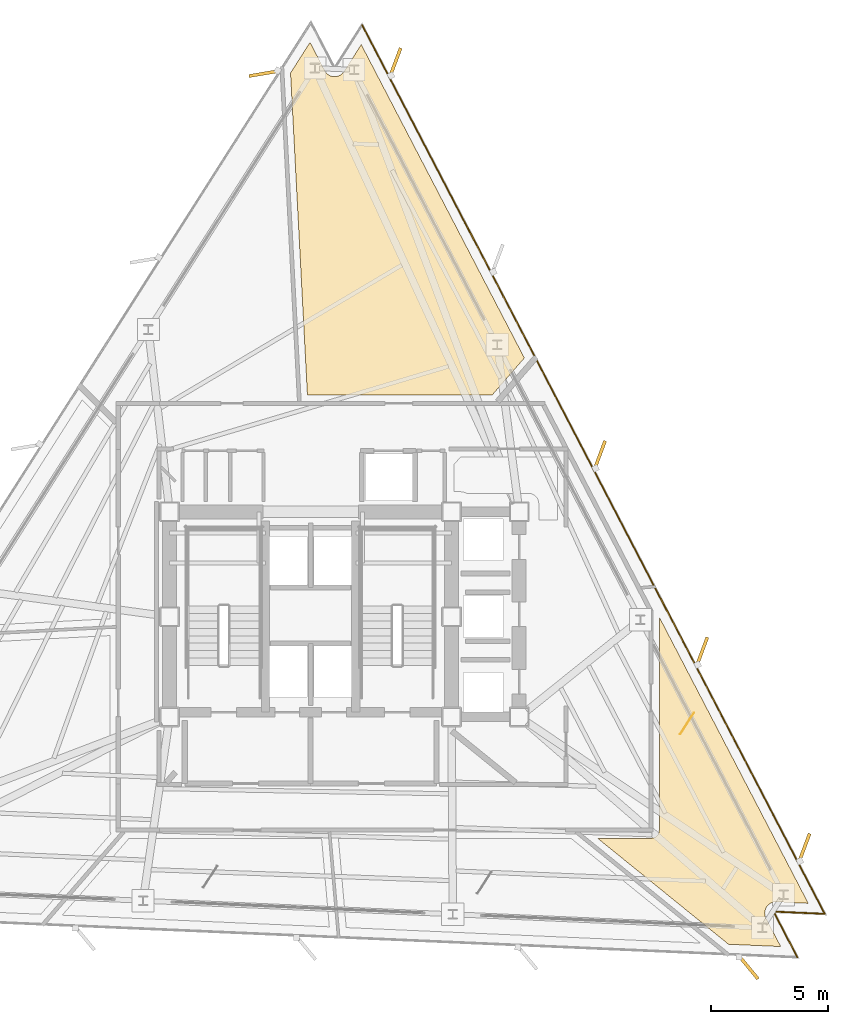
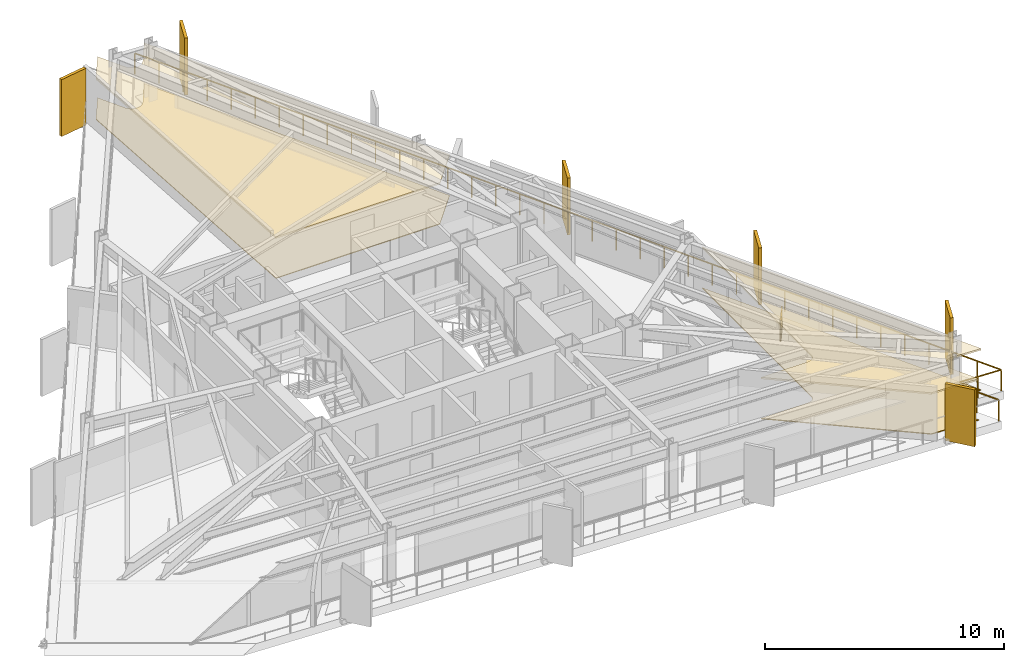
# One storey, part 12 of 12: 6 shading devices, 5 coverings, 1 railing.
"""IFC4 building model written with IfcOpenShell, lengths in metres."""

from ifc_helpers import new_model, si_unit, direction, frame, origin, origin_2d, place, context, subcontext, project, spatial, polyline, rectangle, outline, extrude, material, layer, layer_set, type_object, element, save


model = new_model("IFC4")

# Units and contexts
model_context = context("Model", 3, precision=1e-05, world=origin(), true_north=direction((0.0, 1.0)))
body_context = subcontext(model_context, "Body", "Model", "MODEL_VIEW")
ifc_project = project(units=[si_unit("LENGTHUNIT", "METRE"), si_unit("AREAUNIT", "SQUARE_METRE"), si_unit("VOLUMEUNIT", "CUBIC_METRE"), si_unit("PLANEANGLEUNIT", "RADIAN"), si_unit("MASSUNIT", "GRAM", prefix="KILO")], contexts=[model_context])

# Site, building, storey
site_placement = place(None, origin())
site = spatial("IfcSite", under=ifc_project, at=site_placement, CompositionType="ELEMENT")
building_placement = place(site_placement, origin())
building = spatial("IfcBuilding", under=site, at=building_placement, Name="Rocaltana Carrier Exchange", CompositionType="ELEMENT")
storey_placement = place(building_placement, frame((0.0, 0.0, 125.919921875)))
storey = spatial("IfcBuildingStorey", under=building, at=storey_placement, Name="L39", CompositionType="ELEMENT", Elevation=125.919921875)

# Coverings
ifc_material_1 = material(Name="Honed Bogota Sandstone Tile", Category="masonry")
ifc_layer_1 = layer(ifc_material_1, 0.0400390625)
ifc_layer_set_1 = layer_set([ifc_layer_1], Name="Honed Bogota Sandstone Tile")
covering_type_1 = type_object("IfcCoveringType", Name="Honed Stone Lobby Flooring 40", PredefinedType="FLOORING", material=ifc_layer_set_1)
covering_1_placement = place(storey_placement, origin())
element("IfcCovering", 1, at=covering_1_placement, inside=storey, type_object=covering_type_1, Name="L39 Carrier Peering Suite Finish Floor", PredefinedType="FLOORING", context=body_context, shape_type="SweptSolid", body=[
    extrude(outline(polyline([(14.9599609375, -0.01904296875), (21.352294921875, -12.298828125), (19.985107421875, -12.239013671875), (19.97119140625, -12.23876953125), (19.951171875, -12.239013671875), (19.92333984375, -12.240478515625), (19.903564453125, -12.24267578125), (19.8759765625, -12.246826171875), (19.8564453125, -12.2509765625), (19.829345703125, -12.258056640625), (19.810302734375, -12.263916015625), (19.7841796875, -12.273681640625), (19.765869140625, -12.281494140625), (19.740966796875, -12.2939453125), (19.723388671875, -12.303466796875), (19.69970703125, -12.318115234375), (19.683349609375, -12.32958984375), (19.6611328125, -12.3466796875), (19.64599609375, -12.359619140625), (19.62548828125, -12.378662109375), (19.61181640625, -12.392822265625), (19.593505859375, -12.4140625), (19.5810546875, -12.4296875), (19.56494140625, -12.452392578125), (19.55419921875, -12.46923828125), (19.540283203125, -12.493408203125), (19.531494140625, -12.51123046875), (19.52001953125, -12.536865234375), (19.512939453125, -12.555419921875), (19.504150390625, -12.581787109375), (19.498779296875, -12.601318359375), (19.492919921875, -12.62841796875), (19.489501953125, -12.648193359375), (19.486328125, -12.67578125), (19.48486328125, -12.69580078125), (19.484375, -12.7236328125), (19.485107421875, -12.743408203125), (19.4873046875, -12.771240234375), (19.489990234375, -12.791015625), (19.494873046875, -12.818603515625), (19.49951171875, -12.837890625), (19.507080078125, -12.86474609375), (19.513671875, -12.8837890625), (19.52392578125, -12.90966796875), (19.5322265625, -12.927734375), (19.538330078125, -12.940185546875), (20.17041015625, -14.154296875), (17.93017578125, -14.056396484375), (12.31591796875, -9.510009765625), (14.60009765625, -9.510009765625), (14.61376953125, -9.509765625), (14.62158203125, -9.50927734375), (14.64892578125, -9.506591796875), (14.65673828125, -9.50537109375), (14.68359375, -9.5), (14.69140625, -9.498291015625), (14.717529296875, -9.490234375), (14.724853515625, -9.487548828125), (14.750244140625, -9.47705078125), (14.75732421875, -9.4736328125), (14.78173828125, -9.460693359375), (14.788330078125, -9.456787109375), (14.811279296875, -9.44140625), (14.8173828125, -9.436767578125), (14.8388671875, -9.419189453125), (14.844482421875, -9.4140625), (14.864013671875, -9.39453125), (14.869384765625, -9.388916015625), (14.88671875, -9.367431640625), (14.891357421875, -9.361083984375), (14.90673828125, -9.33837890625), (14.91064453125, -9.331787109375), (14.923583984375, -9.307373046875), (14.927001953125, -9.30029296875), (14.9375, -9.27490234375), (14.940185546875, -9.267578125), (14.9482421875, -9.2412109375), (14.9501953125, -9.233642578125), (14.955322265625, -9.206787109375), (14.95654296875, -9.198974609375), (14.959228515625, -9.171630859375), (14.959716796875, -9.163818359375), (14.9599609375, -9.14990234375), (14.9599609375, -0.01904296875)])), origin(), (0.0, 0.0, 1.0), 0.0400390625),
])
covering_2_placement = place(storey_placement, origin())
element("IfcCovering", 2, at=covering_2_placement, inside=storey, type_object=covering_type_1, Name="L39 Carrier Peering Suite Finish Floor", PredefinedType="FLOORING", context=body_context, shape_type="SweptSolid", body=[
    extrude(outline(polyline([(-0.025146484375, 24.64111328125), (0.606689453125, 23.42724609375), (0.613525390625, 23.4150390625), (0.62353515625, 23.397705078125), (0.638916015625, 23.37451171875), (0.650634765625, 23.3583984375), (0.668212890625, 23.336669921875), (0.681396484375, 23.32177734375), (0.700927734375, 23.3017578125), (0.7158203125, 23.288330078125), (0.7373046875, 23.2705078125), (0.753173828125, 23.258544921875), (0.7763671875, 23.242919921875), (0.79345703125, 23.232666015625), (0.818115234375, 23.219482421875), (0.8359375, 23.2109375), (0.86181640625, 23.2001953125), (0.880615234375, 23.193603515625), (0.9072265625, 23.185546875), (0.9267578125, 23.180908203125), (0.9541015625, 23.17529296875), (0.973876953125, 23.172607421875), (1.001708984375, 23.169921875), (1.021484375, 23.169189453125), (1.04931640625, 23.169189453125), (1.0693359375, 23.17041015625), (1.09716796875, 23.17333984375), (1.11669921875, 23.176513671875), (1.14404296875, 23.18212890625), (1.163330078125, 23.18701171875), (1.18994140625, 23.195556640625), (1.208740234375, 23.202392578125), (1.234375, 23.21337890625), (1.252197265625, 23.22216796875), (1.276611328125, 23.235595703125), (1.293701171875, 23.24609375), (1.316650390625, 23.26220703125), (1.33251953125, 23.2744140625), (1.353759765625, 23.292236328125), (1.368408203125, 23.305908203125), (1.3876953125, 23.326171875), (1.400634765625, 23.341064453125), (1.41796875, 23.363037109375), (1.429443359375, 23.37939453125), (1.437255859375, 23.390869140625), (2.172607421875, 24.545166015625), (9.171875, 11.099853515625), (7.789794921875, 9.510009765625), (-0.137939453125, 9.510009765625), (-0.862060546875, 23.32763671875), (-0.025146484375, 24.64111328125)])), origin(), (0.0, 0.0, 1.0), 0.0400390625),
])
ifc_material_2 = material(Name="Anodised Aluminium 6063-T6", Category="aluminium")
ifc_layer_2 = layer(ifc_material_2, 0.0849609375)
ifc_layer_set_2 = layer_set([ifc_layer_2], Name="Anodised Aluminium 6063-T6")
covering_type_2 = type_object("IfcCoveringType", Name="Linear Baffle Acoustic Ceiling 85", PredefinedType="CEILING", material=ifc_layer_set_2)
covering_3_placement = place(storey_placement, frame((0.0, 0.0, 2.052978515625)))
element("IfcCovering", 3, at=covering_3_placement, inside=storey, type_object=covering_type_2, Name="L39 Carrier Peering Suite Acoustic Ceiling", PredefinedType="CEILING", context=body_context, shape_type="SweptSolid", body=[
    extrude(outline(polyline([(14.9599609375, -0.01904296875), (21.352294921875, -12.298828125), (19.985107421875, -12.239013671875), (19.97119140625, -12.23876953125), (19.951171875, -12.239013671875), (19.92333984375, -12.240478515625), (19.903564453125, -12.24267578125), (19.8759765625, -12.246826171875), (19.8564453125, -12.2509765625), (19.829345703125, -12.258056640625), (19.810302734375, -12.263916015625), (19.7841796875, -12.273681640625), (19.765869140625, -12.281494140625), (19.740966796875, -12.2939453125), (19.723388671875, -12.303466796875), (19.69970703125, -12.318115234375), (19.683349609375, -12.32958984375), (19.6611328125, -12.3466796875), (19.64599609375, -12.359619140625), (19.62548828125, -12.378662109375), (19.61181640625, -12.392822265625), (19.593505859375, -12.4140625), (19.5810546875, -12.4296875), (19.56494140625, -12.452392578125), (19.55419921875, -12.46923828125), (19.540283203125, -12.493408203125), (19.531494140625, -12.51123046875), (19.52001953125, -12.536865234375), (19.512939453125, -12.555419921875), (19.504150390625, -12.581787109375), (19.498779296875, -12.601318359375), (19.492919921875, -12.62841796875), (19.489501953125, -12.648193359375), (19.486328125, -12.67578125), (19.48486328125, -12.69580078125), (19.484375, -12.7236328125), (19.485107421875, -12.743408203125), (19.4873046875, -12.771240234375), (19.489990234375, -12.791015625), (19.494873046875, -12.818603515625), (19.49951171875, -12.837890625), (19.507080078125, -12.86474609375), (19.513671875, -12.8837890625), (19.52392578125, -12.90966796875), (19.5322265625, -12.927734375), (19.538330078125, -12.940185546875), (20.17041015625, -14.154296875), (17.93017578125, -14.056396484375), (12.31591796875, -9.510009765625), (14.60009765625, -9.510009765625), (14.61376953125, -9.509765625), (14.62158203125, -9.50927734375), (14.64892578125, -9.506591796875), (14.65673828125, -9.50537109375), (14.68359375, -9.5), (14.69140625, -9.498291015625), (14.717529296875, -9.490234375), (14.724853515625, -9.487548828125), (14.750244140625, -9.47705078125), (14.75732421875, -9.4736328125), (14.78173828125, -9.460693359375), (14.788330078125, -9.456787109375), (14.811279296875, -9.44140625), (14.8173828125, -9.436767578125), (14.8388671875, -9.419189453125), (14.844482421875, -9.4140625), (14.864013671875, -9.39453125), (14.869384765625, -9.388916015625), (14.88671875, -9.367431640625), (14.891357421875, -9.361083984375), (14.90673828125, -9.33837890625), (14.91064453125, -9.331787109375), (14.923583984375, -9.307373046875), (14.927001953125, -9.30029296875), (14.9375, -9.27490234375), (14.940185546875, -9.267578125), (14.9482421875, -9.2412109375), (14.9501953125, -9.233642578125), (14.955322265625, -9.206787109375), (14.95654296875, -9.198974609375), (14.959228515625, -9.171630859375), (14.959716796875, -9.163818359375), (14.9599609375, -9.14990234375), (14.9599609375, -0.01904296875)])), origin(), (0.0, 0.0, 1.0), 0.085205078125),
])
covering_4_placement = place(storey_placement, frame((0.0, 0.0, 2.052978515625)))
element("IfcCovering", 4, at=covering_4_placement, inside=storey, type_object=covering_type_2, Name="L39 Carrier Peering Suite Acoustic Ceiling", PredefinedType="CEILING", context=body_context, shape_type="SweptSolid", body=[
    extrude(outline(polyline([(-0.025146484375, 24.64111328125), (0.606689453125, 23.42724609375), (0.613525390625, 23.4150390625), (0.62353515625, 23.397705078125), (0.638916015625, 23.37451171875), (0.650634765625, 23.3583984375), (0.668212890625, 23.336669921875), (0.681396484375, 23.32177734375), (0.700927734375, 23.3017578125), (0.7158203125, 23.288330078125), (0.7373046875, 23.2705078125), (0.753173828125, 23.258544921875), (0.7763671875, 23.242919921875), (0.79345703125, 23.232666015625), (0.818115234375, 23.219482421875), (0.8359375, 23.2109375), (0.86181640625, 23.2001953125), (0.880615234375, 23.193603515625), (0.9072265625, 23.185546875), (0.9267578125, 23.180908203125), (0.9541015625, 23.17529296875), (0.973876953125, 23.172607421875), (1.001708984375, 23.169921875), (1.021484375, 23.169189453125), (1.04931640625, 23.169189453125), (1.0693359375, 23.17041015625), (1.09716796875, 23.17333984375), (1.11669921875, 23.176513671875), (1.14404296875, 23.18212890625), (1.163330078125, 23.18701171875), (1.18994140625, 23.195556640625), (1.208740234375, 23.202392578125), (1.234375, 23.21337890625), (1.252197265625, 23.22216796875), (1.276611328125, 23.235595703125), (1.293701171875, 23.24609375), (1.316650390625, 23.26220703125), (1.33251953125, 23.2744140625), (1.353759765625, 23.292236328125), (1.368408203125, 23.305908203125), (1.3876953125, 23.326171875), (1.400634765625, 23.341064453125), (1.41796875, 23.363037109375), (1.429443359375, 23.37939453125), (1.437255859375, 23.390869140625), (2.172607421875, 24.545166015625), (9.171875, 11.099853515625), (7.789794921875, 9.510009765625), (-0.137939453125, 9.510009765625), (-0.862060546875, 23.32763671875), (-0.025146484375, 24.64111328125)])), origin(), (0.0, 0.0, 1.0), 0.085205078125),
])
ifc_material_3 = material(Name="Honed Piedra Muneca Sandstone", Category="masonry")
ifc_layer_3 = layer(ifc_material_3, 0.034912109375)
ifc_layer_set_3 = layer_set([ifc_layer_3], Name="Honed Piedra Muneca Sandstone")
covering_type_3 = type_object("IfcCoveringType", Name="Stone Facade Cladding 35", PredefinedType="CLADDING", material=ifc_layer_set_3)
covering_5_placement = place(storey_placement, frame((16.148193359375, -4.58447265625, 0.0), z_axis=(0.0, 0.0, 1.0), x_axis=(0.544639035015, 0.838670567945, 0.0)))
element("IfcCovering", 5, at=covering_5_placement, inside=storey, type_object=covering_type_3, Name="L39 Stone Facade Cladding Panel 5", PredefinedType="CLADDING", context=body_context, shape_type="SweptSolid", body=[
    extrude(rectangle(XDim=1.10009765625, YDim=0.034912109375, at=origin_2d()), origin(), (0.0, 0.0, 1.0), 1.050048828125),
])

# Shading devices
ifc_material_4 = material(Name="Honed Bogota Sandstone & Concrete C45/55", Category="masonry")
ifc_layer_4 = layer(ifc_material_4, 0.139892578125)
ifc_layer_set_4 = layer_set([ifc_layer_4], Name="Honed Bogota Sandstone & Concrete C45/55")
shading_device_type = type_object("IfcShadingDeviceType", Name="Vertical Sandstone Shading Fin 1320x140", PredefinedType="USERDEFINED", material=ifc_layer_set_4)
for number, where, z_axis, x_axis, name in (
    (6, (21.1787109375, -9.927490234375, -0.1201171875), (0.0, 0.0, 1.0), (0.350207381259, 0.936672189248, 0.0), "L39 Sandstone Vertical Fin F1-01"),
    (7, (16.7919921875, -1.5009765625, -0.1201171875), (0.0, 0.0, 1.0), (0.350207381259, 0.936672189248, 0.0), "L39 Sandstone Vertical Fin F1-02"),
    (8, (12.405517578125, 6.925537109375, -0.1201171875), (0.0, 0.0, 1.0), (0.350207381259, 0.936672189248, 0.0), "L39 Sandstone Vertical Fin F1-03"),
    (9, (3.63232421875, 23.77880859375, -0.1201171875), (0.0, 0.0, 1.0), (0.350207381259, 0.936672189248, 0.0), "L39 Sandstone Vertical Fin F1-05"),
    (10, (-1.99169921875, 23.30517578125, -0.1201171875), (0.0, 0.0, 1.0), (-0.986285601537, -0.165047605861, 0.0), "L39 Sandstone Vertical Fin F2-01"),
    (11, (18.77685546875, -15.034912109375, -0.1201171875), (0.0, 0.0, 1.0), (0.636078220278, -0.771624583388, 0.0), "L39 Sandstone Vertical Fin F3-05"),
):
    element("IfcShadingDevice", number, at=place(storey_placement, frame(where, z_axis=z_axis, x_axis=x_axis)), inside=storey, type_object=shading_device_type, Name=name, ObjectType="FIN", PredefinedType="USERDEFINED", context=body_context, shape_type="SweptSolid", body=[
        extrude(rectangle(XDim=1.320068359375, YDim=0.139892578125, at=origin_2d()), origin(), (0.0, 0.0, 1.0), 2.907958984375),
    ])

# Railing
ifc_material_5 = material(Name="Powder-Coated Aluminium 6063-T6", Category="aluminium")
ifc_layer_5 = layer(ifc_material_5, 0.06005859375)
ifc_layer_set_5 = layer_set([ifc_layer_5], Name="Powder-Coated Aluminium 6063-T6")
railing_type = type_object("IfcRailingType", Name="Wind-Floor & Terrace Perimeter Guardrail 1100", PredefinedType="GUARDRAIL", material=ifc_layer_set_5)
railing_placement = place(storey_placement, frame((2.20947265625, 25.384521484375, 0.0)))
element("IfcRailing", 12, at=railing_placement, inside=storey, type_object=railing_type, Name="L39 Perimeter Balcony Guardrail 3", PredefinedType="GUARDRAIL", context=body_context, shape_type="SweptSolid", body=[
    extrude(rectangle(XDim=0.048095703125, YDim=0.048095703125, at=origin_2d()), frame((0.0, 0.0, 1.076171875), z_axis=(0.461743909672, -0.887013281682, 0.0), x_axis=(0.887013281682, 0.461743909672, 0.0)), (0.0, 0.0, 1.0), 42.991943359375),
    extrude(rectangle(XDim=0.048095703125, YDim=0.048095703125, at=origin_2d()), frame((19.851318359375, -38.134521484375, 1.076171875), z_axis=(-0.999048394753, 0.043615420922, 0.0), x_axis=(-0.043615420922, -0.999048394753, 0.0)), (0.0, 0.0, 1.0), 2.199951171875),
    extrude(rectangle(XDim=0.048095703125, YDim=0.048095703125, at=origin_2d()), frame((17.653564453125, -38.03857421875, 1.076171875), z_axis=(0.461758004933, -0.887005944107, 0.0), x_axis=(0.887005944107, 0.461758004933, 0.0)), (0.0, 0.0, 1.0), 2.199951171875),
    extrude(rectangle(XDim=0.0419921875, YDim=0.0419921875, at=origin_2d()), origin(), (0.0, 0.0, 1.0), 1.052001953125),
    extrude(rectangle(XDim=0.0419921875, YDim=0.0419921875, at=origin_2d()), frame((0.551513671875, -1.059326171875, 0.0)), (0.0, 0.0, 1.0), 1.052001953125),
    extrude(rectangle(XDim=0.0419921875, YDim=0.0419921875, at=origin_2d()), frame((1.102783203125, -2.11865234375, 0.0)), (0.0, 0.0, 1.0), 1.052001953125),
    extrude(rectangle(XDim=0.0419921875, YDim=0.0419921875, at=origin_2d()), frame((1.654296875, -3.177978515625, 0.0)), (0.0, 0.0, 1.0), 1.052001953125),
    extrude(rectangle(XDim=0.0419921875, YDim=0.0419921875, at=origin_2d()), frame((2.205810546875, -4.237060546875, 0.0)), (0.0, 0.0, 1.0), 1.052001953125),
    extrude(rectangle(XDim=0.0419921875, YDim=0.0419921875, at=origin_2d()), frame((2.757080078125, -5.29638671875, 0.0)), (0.0, 0.0, 1.0), 1.052001953125),
    extrude(rectangle(XDim=0.0419921875, YDim=0.0419921875, at=origin_2d()), frame((3.30859375, -6.355712890625, 0.0)), (0.0, 0.0, 1.0), 1.052001953125),
    extrude(rectangle(XDim=0.0419921875, YDim=0.0419921875, at=origin_2d()), frame((3.85986328125, -7.4150390625, 0.0)), (0.0, 0.0, 1.0), 1.052001953125),
    extrude(rectangle(XDim=0.0419921875, YDim=0.0419921875, at=origin_2d()), frame((4.411376953125, -8.474365234375, 0.0)), (0.0, 0.0, 1.0), 1.052001953125),
    extrude(rectangle(XDim=0.0419921875, YDim=0.0419921875, at=origin_2d()), frame((4.962890625, -9.53369140625, 0.0)), (0.0, 0.0, 1.0), 1.052001953125),
    extrude(rectangle(XDim=0.0419921875, YDim=0.0419921875, at=origin_2d()), frame((5.51416015625, -10.593017578125, 0.0)), (0.0, 0.0, 1.0), 1.052001953125),
    extrude(rectangle(XDim=0.0419921875, YDim=0.0419921875, at=origin_2d()), frame((6.065673828125, -11.652099609375, 0.0)), (0.0, 0.0, 1.0), 1.052001953125),
    extrude(rectangle(XDim=0.0419921875, YDim=0.0419921875, at=origin_2d()), frame((6.6171875, -12.71142578125, 0.0)), (0.0, 0.0, 1.0), 1.052001953125),
    extrude(rectangle(XDim=0.0419921875, YDim=0.0419921875, at=origin_2d()), frame((7.16845703125, -13.770751953125, 0.0)), (0.0, 0.0, 1.0), 1.052001953125),
    extrude(rectangle(XDim=0.0419921875, YDim=0.0419921875, at=origin_2d()), frame((7.719970703125, -14.830078125, 0.0)), (0.0, 0.0, 1.0), 1.052001953125),
    extrude(rectangle(XDim=0.0419921875, YDim=0.0419921875, at=origin_2d()), frame((8.271484375, -15.889404296875, 0.0)), (0.0, 0.0, 1.0), 1.052001953125),
    extrude(rectangle(XDim=0.0419921875, YDim=0.0419921875, at=origin_2d()), frame((8.82275390625, -16.94873046875, 0.0)), (0.0, 0.0, 1.0), 1.052001953125),
    extrude(rectangle(XDim=0.0419921875, YDim=0.0419921875, at=origin_2d()), frame((9.374267578125, -18.008056640625, 0.0)), (0.0, 0.0, 1.0), 1.052001953125),
    extrude(rectangle(XDim=0.0419921875, YDim=0.0419921875, at=origin_2d()), frame((9.92578125, -19.0673828125, 0.0)), (0.0, 0.0, 1.0), 1.052001953125),
    extrude(rectangle(XDim=0.0419921875, YDim=0.0419921875, at=origin_2d()), frame((10.47705078125, -20.12646484375, 0.0)), (0.0, 0.0, 1.0), 1.052001953125),
    extrude(rectangle(XDim=0.0419921875, YDim=0.0419921875, at=origin_2d()), frame((11.028564453125, -21.185791015625, 0.0)), (0.0, 0.0, 1.0), 1.052001953125),
    extrude(rectangle(XDim=0.0419921875, YDim=0.0419921875, at=origin_2d()), frame((11.579833984375, -22.2451171875, 0.0)), (0.0, 0.0, 1.0), 1.052001953125),
    extrude(rectangle(XDim=0.0419921875, YDim=0.0419921875, at=origin_2d()), frame((12.13134765625, -23.304443359375, 0.0)), (0.0, 0.0, 1.0), 1.052001953125),
    extrude(rectangle(XDim=0.0419921875, YDim=0.0419921875, at=origin_2d()), frame((12.682861328125, -24.36376953125, 0.0)), (0.0, 0.0, 1.0), 1.052001953125),
    extrude(rectangle(XDim=0.0419921875, YDim=0.0419921875, at=origin_2d()), frame((13.234130859375, -25.423095703125, 0.0)), (0.0, 0.0, 1.0), 1.052001953125),
    extrude(rectangle(XDim=0.0419921875, YDim=0.0419921875, at=origin_2d()), frame((13.78564453125, -26.482421875, 0.0)), (0.0, 0.0, 1.0), 1.052001953125),
    extrude(rectangle(XDim=0.0419921875, YDim=0.0419921875, at=origin_2d()), frame((14.337158203125, -27.54150390625, 0.0)), (0.0, 0.0, 1.0), 1.052001953125),
    extrude(rectangle(XDim=0.0419921875, YDim=0.0419921875, at=origin_2d()), frame((14.888427734375, -28.600830078125, 0.0)), (0.0, 0.0, 1.0), 1.052001953125),
    extrude(rectangle(XDim=0.0419921875, YDim=0.0419921875, at=origin_2d()), frame((15.43994140625, -29.66015625, 0.0)), (0.0, 0.0, 1.0), 1.052001953125),
    extrude(rectangle(XDim=0.0419921875, YDim=0.0419921875, at=origin_2d()), frame((15.991455078125, -30.719482421875, 0.0)), (0.0, 0.0, 1.0), 1.052001953125),
    extrude(rectangle(XDim=0.0419921875, YDim=0.0419921875, at=origin_2d()), frame((16.542724609375, -31.77880859375, 0.0)), (0.0, 0.0, 1.0), 1.052001953125),
    extrude(rectangle(XDim=0.0419921875, YDim=0.0419921875, at=origin_2d()), frame((17.09423828125, -32.838134765625, 0.0)), (0.0, 0.0, 1.0), 1.052001953125),
    extrude(rectangle(XDim=0.0419921875, YDim=0.0419921875, at=origin_2d()), frame((17.6455078125, -33.8974609375, 0.0)), (0.0, 0.0, 1.0), 1.052001953125),
    extrude(rectangle(XDim=0.0419921875, YDim=0.0419921875, at=origin_2d()), frame((18.197021484375, -34.95654296875, 0.0)), (0.0, 0.0, 1.0), 1.052001953125),
    extrude(rectangle(XDim=0.0419921875, YDim=0.0419921875, at=origin_2d()), frame((18.74853515625, -36.015869140625, 0.0)), (0.0, 0.0, 1.0), 1.052001953125),
    extrude(rectangle(XDim=0.0419921875, YDim=0.0419921875, at=origin_2d()), frame((19.2998046875, -37.0751953125, 0.0)), (0.0, 0.0, 1.0), 1.052001953125),
    extrude(rectangle(XDim=0.0419921875, YDim=0.0419921875, at=origin_2d()), frame((19.851318359375, -38.134521484375, 0.0)), (0.0, 0.0, 1.0), 1.052001953125),
    extrude(rectangle(XDim=0.0419921875, YDim=0.0419921875, at=origin_2d()), frame((18.75244140625, -38.08642578125, 0.0)), (0.0, 0.0, 1.0), 1.052001953125),
    extrude(rectangle(XDim=0.0419921875, YDim=0.0419921875, at=origin_2d()), frame((17.653564453125, -38.03857421875, 0.0)), (0.0, 0.0, 1.0), 1.052001953125),
    extrude(rectangle(XDim=0.0419921875, YDim=0.0419921875, at=origin_2d()), frame((18.16162109375, -39.01416015625, 0.0)), (0.0, 0.0, 1.0), 1.052001953125),
    extrude(rectangle(XDim=0.0419921875, YDim=0.0419921875, at=origin_2d()), frame((18.66943359375, -39.989990234375, 0.0)), (0.0, 0.0, 1.0), 1.052001953125),
])

save(model, "model.ifc")
